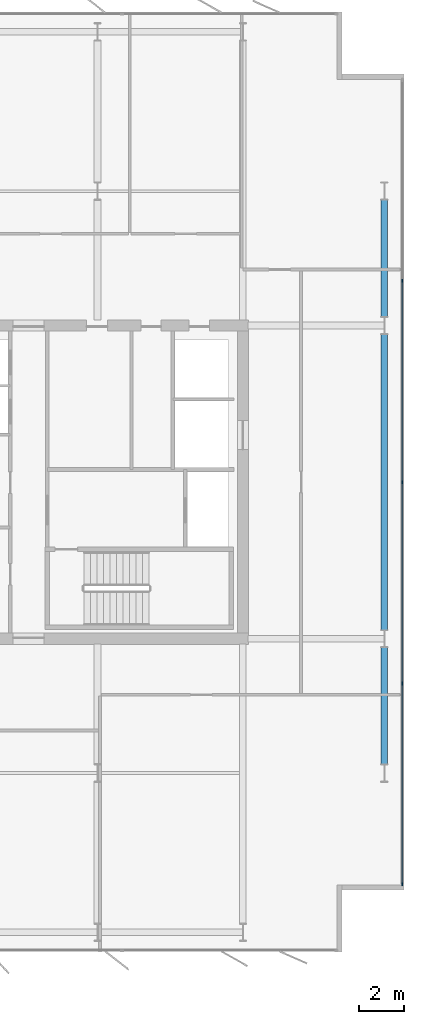
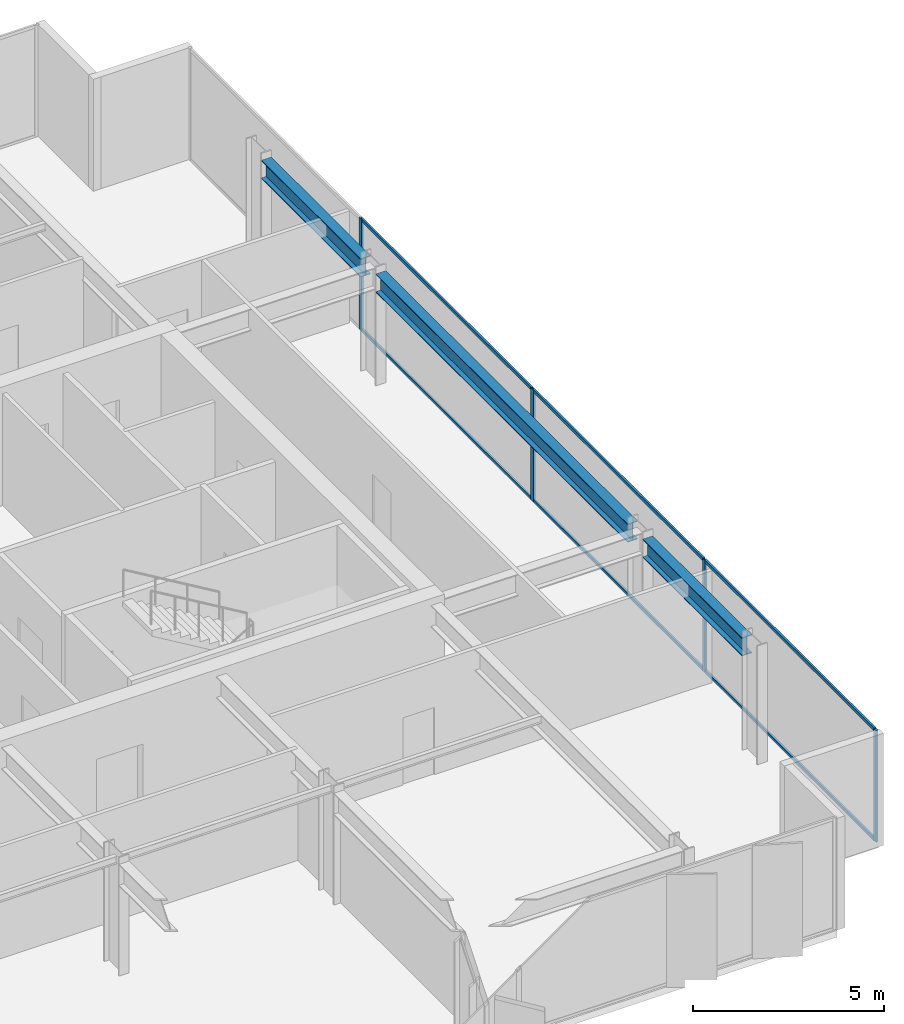
# One storey, part 14 of 23: 10 members, 3 beams, 1 element without a shape of its own.
"""IFC4 building model written with IfcOpenShell, lengths in metres."""

from ifc_helpers import new_model, si_unit, direction, frame, origin, origin_2d, place, context, subcontext, project, spatial, rectangle, i_section, extrude, material, layer, layer_set, material_profile, profile_set, type_object, element, aggregate, save


model = new_model("IFC4")

# Units and contexts
model_context = context("Model", 3, precision=1e-05, world=origin(), true_north=direction((0.0, 1.0)))
body_context = subcontext(model_context, "Body", "Model", "MODEL_VIEW")
ifc_project = project(units=[si_unit("LENGTHUNIT", "METRE"), si_unit("AREAUNIT", "SQUARE_METRE"), si_unit("VOLUMEUNIT", "CUBIC_METRE"), si_unit("PLANEANGLEUNIT", "RADIAN"), si_unit("MASSUNIT", "GRAM", prefix="KILO")], contexts=[model_context])

# Site, building, storey
site_placement = place(None, origin())
site = spatial("IfcSite", under=ifc_project, at=site_placement, CompositionType="ELEMENT")
building_placement = place(site_placement, origin())
building = spatial("IfcBuilding", under=site, at=building_placement, Name="Putna Gate Headquarters", CompositionType="ELEMENT")
storey_placement = place(building_placement, frame((0.0, 0.0, 225.199951171875)))
storey = spatial("IfcBuildingStorey", under=building, at=storey_placement, Name="L56", CompositionType="ELEMENT", Elevation=225.199951171875)

# Beams
ifc_material_1 = material(Name="Steel S355J2", Category="steel")
ifc_material_profile_1 = material_profile(ifc_material_1, i_section(OverallWidth=0.300048828125, OverallDepth=0.590087890625, WebThickness=0.012939453125, FlangeThickness=0.02490234375, at=origin_2d()), Name="Steel S355J2")
ifc_profile_set_1 = profile_set([ifc_material_profile_1], Name="Steel S355J2")
beam_type = type_object("IfcBeamType", Name="BM-SPAN-Z4-HEA600", PredefinedType="SPANDREL", material=ifc_profile_set_1)
beam_1_placement = place(storey_placement, frame((71.320068359375, 13.39501953125, 3.28515625), z_axis=(0.0, 1.0, 0.0), x_axis=(-1.0, 0.0, 0.0)))
element("IfcBeam", 1, at=beam_1_placement, inside=storey, type_object=beam_type, Name="L56 E End Spandrel 1", PredefinedType="SPANDREL", context=body_context, shape_type="SweptSolid", body=[
    extrude(i_section(OverallWidth=0.300048828125, OverallDepth=0.590087890625, WebThickness=0.012939453125, FlangeThickness=0.02490234375, at=origin_2d()), origin(), (0.0, 0.0, 1.0), 5.2099609375),
])
beam_2_placement = place(storey_placement, frame((71.320068359375, 19.39501953125, 3.28515625), z_axis=(0.0, 1.0, 0.0), x_axis=(-1.0, 0.0, 0.0)))
element("IfcBeam", 2, at=beam_2_placement, inside=storey, type_object=beam_type, Name="L56 E End Spandrel 2", PredefinedType="SPANDREL", context=body_context, shape_type="SweptSolid", body=[
    extrude(i_section(OverallWidth=0.300048828125, OverallDepth=0.590087890625, WebThickness=0.012939453125, FlangeThickness=0.02490234375, at=origin_2d()), origin(), (0.0, 0.0, 1.0), 13.2099609375),
])
beam_3_placement = place(storey_placement, frame((71.320068359375, 33.39501953125, 3.28515625), z_axis=(0.0, 1.0, 0.0), x_axis=(-1.0, 0.0, 0.0)))
element("IfcBeam", 3, at=beam_3_placement, inside=storey, type_object=beam_type, Name="L56 E End Spandrel 3", PredefinedType="SPANDREL", context=body_context, shape_type="SweptSolid", body=[
    extrude(i_section(OverallWidth=0.300048828125, OverallDepth=0.590087890625, WebThickness=0.012939453125, FlangeThickness=0.02490234375, at=origin_2d()), origin(), (0.0, 0.0, 1.0), 5.2099609375),
])

# Curtain wall, members
ifc_material_2 = material(Name="Anodised bronze aluminium curtain wall", Category="aluminium")
ifc_layer = layer(ifc_material_2, 0.139892578125)
ifc_layer_set = layer_set([ifc_layer], Name="Anodised bronze aluminium curtain wall")
curtain_wall_type = type_object("IfcCurtainWallType", Name="CW-SYS-Z4", PredefinedType="USERDEFINED", material=ifc_layer_set)
curtain_wall_placement = place(storey_placement, origin())
curtain_wall = element("IfcCurtainWall", 4, at=curtain_wall_placement, inside=storey, type_object=curtain_wall_type, Name="L56 East Curtain Wall", ObjectType="STICK CURTAIN WALL", PredefinedType="USERDEFINED")
ifc_material_3 = material(Name="Anodised bronze aluminium EN AW-6060", Category="aluminium")
ifc_material_profile_2 = material_profile(ifc_material_3, rectangle(XDim=0.06005859375, YDim=0.139892578125, at=origin_2d()), Name="Anodised bronze aluminium EN AW-6060")
ifc_profile_set_2 = profile_set([ifc_material_profile_2], Name="Anodised bronze aluminium EN AW-6060")
member_type_1 = type_object("IfcMemberType", Name="MULL-CWM-4", PredefinedType="MULLION", material=ifc_profile_set_2)
member_1_placement = place(storey_placement, frame((72.1201171875, 8.030029296875, 0.0), z_axis=(0.0, 0.0, 1.0), x_axis=(-1.0, 0.0, 0.0)))
member_1 = element("IfcMember", 5, at=member_1_placement, type_object=member_type_1, Name="CWS-4 mullion 1", PredefinedType="MULLION", context=body_context, shape_type="SweptSolid", body=[
    extrude(rectangle(XDim=0.06005859375, YDim=0.139892578125, at=origin_2d()), origin(), (0.0, 0.0, 1.0), 3.580078125),
])
member_2_placement = place(storey_placement, frame((72.1201171875, 17.0, 0.0), z_axis=(0.0, 0.0, 1.0), x_axis=(-1.0, 0.0, 0.0)))
member_2 = element("IfcMember", 6, at=member_2_placement, type_object=member_type_1, Name="CWS-4 mullion 2", PredefinedType="MULLION", context=body_context, shape_type="SweptSolid", body=[
    extrude(rectangle(XDim=0.06005859375, YDim=0.139892578125, at=origin_2d()), origin(), (0.0, 0.0, 1.0), 3.580078125),
])
member_3_placement = place(storey_placement, frame((72.1201171875, 26.0, 0.0), z_axis=(0.0, 0.0, 1.0), x_axis=(-1.0, 0.0, 0.0)))
member_3 = element("IfcMember", 7, at=member_3_placement, type_object=member_type_1, Name="CWS-4 mullion 3", PredefinedType="MULLION", context=body_context, shape_type="SweptSolid", body=[
    extrude(rectangle(XDim=0.06005859375, YDim=0.139892578125, at=origin_2d()), origin(), (0.0, 0.0, 1.0), 3.580078125),
])
member_4_placement = place(storey_placement, frame((72.1201171875, 35.0, 0.0), z_axis=(0.0, 0.0, 1.0), x_axis=(-1.0, 0.0, 0.0)))
member_4 = element("IfcMember", 8, at=member_4_placement, type_object=member_type_1, Name="CWS-4 mullion 4", PredefinedType="MULLION", context=body_context, shape_type="SweptSolid", body=[
    extrude(rectangle(XDim=0.06005859375, YDim=0.139892578125, at=origin_2d()), origin(), (0.0, 0.0, 1.0), 3.580078125),
])
ifc_material_profile_3 = material_profile(ifc_material_3, rectangle(XDim=0.06005859375, YDim=0.10009765625, at=origin_2d()), Name="Anodised bronze aluminium EN AW-6060")
ifc_profile_set_3 = profile_set([ifc_material_profile_3], Name="Anodised bronze aluminium EN AW-6060")
member_type_2 = type_object("IfcMemberType", Name="TRAN-CWT-4", PredefinedType="USERDEFINED", material=ifc_profile_set_3)
member_5_placement = place(storey_placement, frame((72.1201171875, 8.06005859375, 0.030029296875), z_axis=(0.0, 1.0, 0.0), x_axis=(-1.0, 0.0, 0.0)))
member_5 = element("IfcMember", 9, at=member_5_placement, type_object=member_type_2, Name="CWS-4 transom 1.1", ObjectType="TRANSOM", PredefinedType="USERDEFINED", context=body_context, shape_type="SweptSolid", body=[
    extrude(rectangle(XDim=0.06005859375, YDim=0.10009765625, at=origin_2d()), origin(), (0.0, 0.0, 1.0), 8.909912109375),
])
member_6_placement = place(storey_placement, frame((72.1201171875, 8.06005859375, 3.550048828125), z_axis=(0.0, 1.0, 0.0), x_axis=(-1.0, 0.0, 0.0)))
member_6 = element("IfcMember", 10, at=member_6_placement, type_object=member_type_2, Name="CWS-4 transom 1.2", ObjectType="TRANSOM", PredefinedType="USERDEFINED", context=body_context, shape_type="SweptSolid", body=[
    extrude(rectangle(XDim=0.06005859375, YDim=0.10009765625, at=origin_2d()), origin(), (0.0, 0.0, 1.0), 8.909912109375),
])
member_7_placement = place(storey_placement, frame((72.1201171875, 17.030029296875, 0.030029296875), z_axis=(0.0, 1.0, 0.0), x_axis=(-1.0, 0.0, 0.0)))
member_7 = element("IfcMember", 11, at=member_7_placement, type_object=member_type_2, Name="CWS-4 transom 2.1", ObjectType="TRANSOM", PredefinedType="USERDEFINED", context=body_context, shape_type="SweptSolid", body=[
    extrude(rectangle(XDim=0.06005859375, YDim=0.10009765625, at=origin_2d()), origin(), (0.0, 0.0, 1.0), 8.93994140625),
])
member_8_placement = place(storey_placement, frame((72.1201171875, 17.030029296875, 3.550048828125), z_axis=(0.0, 1.0, 0.0), x_axis=(-1.0, 0.0, 0.0)))
member_8 = element("IfcMember", 12, at=member_8_placement, type_object=member_type_2, Name="CWS-4 transom 2.2", ObjectType="TRANSOM", PredefinedType="USERDEFINED", context=body_context, shape_type="SweptSolid", body=[
    extrude(rectangle(XDim=0.06005859375, YDim=0.10009765625, at=origin_2d()), origin(), (0.0, 0.0, 1.0), 8.93994140625),
])
member_9_placement = place(storey_placement, frame((72.1201171875, 26.030029296875, 0.030029296875), z_axis=(0.0, 1.0, 0.0), x_axis=(-1.0, 0.0, 0.0)))
member_9 = element("IfcMember", 13, at=member_9_placement, type_object=member_type_2, Name="CWS-4 transom 3.1", ObjectType="TRANSOM", PredefinedType="USERDEFINED", context=body_context, shape_type="SweptSolid", body=[
    extrude(rectangle(XDim=0.06005859375, YDim=0.10009765625, at=origin_2d()), origin(), (0.0, 0.0, 1.0), 8.93994140625),
])
member_10_placement = place(storey_placement, frame((72.1201171875, 26.030029296875, 3.550048828125), z_axis=(0.0, 1.0, 0.0), x_axis=(-1.0, 0.0, 0.0)))
member_10 = element("IfcMember", 14, at=member_10_placement, type_object=member_type_2, Name="CWS-4 transom 3.2", ObjectType="TRANSOM", PredefinedType="USERDEFINED", context=body_context, shape_type="SweptSolid", body=[
    extrude(rectangle(XDim=0.06005859375, YDim=0.10009765625, at=origin_2d()), origin(), (0.0, 0.0, 1.0), 8.93994140625),
])
aggregate(curtain_wall, [member_1, member_2, member_3, member_4, member_5, member_6, member_7, member_8, member_9, member_10])

save(model, "model.ifc")
